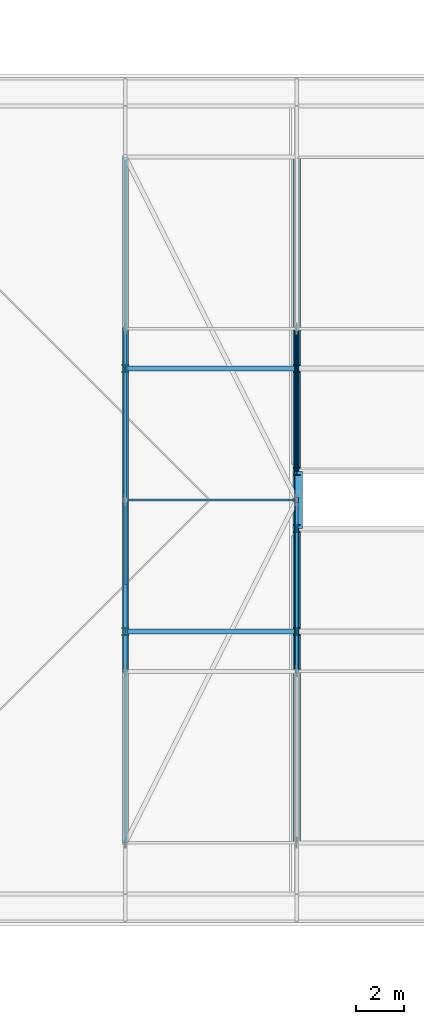
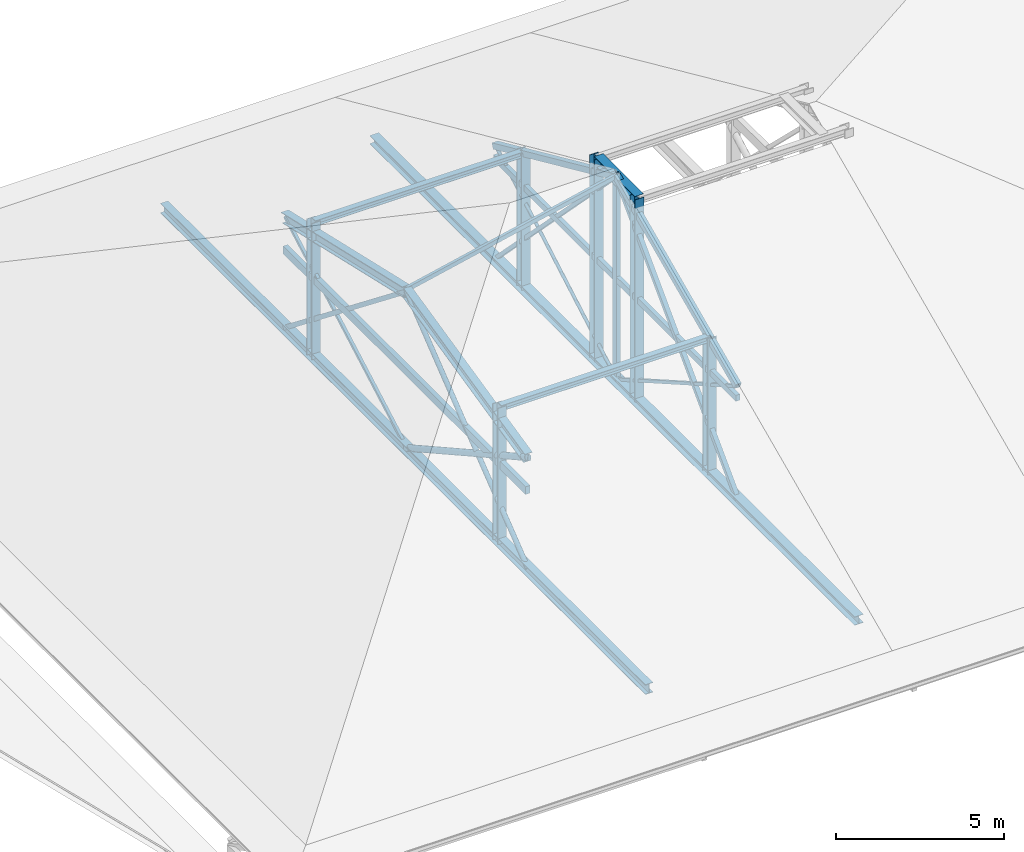
# One storey, part 11 of 100: 23 members, 4 beams.
"""IFC4 building model written with IfcOpenShell, lengths in metres."""

import ifcopenshell
import ifcopenshell.guid

model = None  # the IFC model being written
_history = None  # IfcOwnerHistory: only IFC2X3 demands one
_inside = {}  # id of a spatial element -> (the spatial element, [elements in it])
_under = {}  # id of a project, library or spatial element -> (it, [spatial elements below it])
_declared = {}  # id of a project -> (the project, [libraries it declares])
_typed = {}  # id of a type object -> (the type object, [elements of that type])
_made_of = {}  # id of a material, layer set ... -> (it, [elements and type objects made of it])


def new_model(schema):
    """Start an empty IFC model of exactly this schema.

    Asked for "IFC4X3", IfcOpenShell would pick the latest addendum, in which some entities
    have other attributes; the version numbers below select the first issue.
    IFC2X3 requires an IfcOwnerHistory on every rooted entity: one is made here for all.
    """
    global model, _history
    if schema == "IFC4X3":
        model = ifcopenshell.file(schema_version=(4, 3, 0, 0))
    else:
        model = ifcopenshell.file(schema=schema)
    _inside.clear()
    _under.clear()
    _declared.clear()
    _typed.clear()
    _made_of.clear()
    _history = None
    if model.schema == "IFC2X3":
        org = make("IfcOrganization", Name="unknown")
        user = make(
            "IfcPersonAndOrganization",
            ThePerson=make("IfcPerson", FamilyName="unknown"),
            TheOrganization=org,
        )
        app = make(
            "IfcApplication",
            ApplicationDeveloper=org,
            Version="unknown",
            ApplicationFullName="unknown",
            ApplicationIdentifier="unknown",
        )
        _history = make(
            "IfcOwnerHistory",
            OwningUser=user,
            OwningApplication=app,
            ChangeAction="ADDED",
            CreationDate=0,
        )
    return model


def make(cls, **values):
    """One entity of the class cls with the attributes given. An attribute that is None is left unset."""
    return model.create_entity(
        cls, **{name: value for name, value in values.items() if value is not None}
    )


def rooted(cls, **values):
    """An entity with a GlobalId (a new one), such as an element, a storey or a relation."""
    return make(cls, GlobalId=ifcopenshell.guid.new(), OwnerHistory=_history, **values)


def si_unit(unit_type, name, prefix=None):
    """IfcSIUnit, for example si_unit("LENGTHUNIT", "METRE", prefix="MILLI")."""
    return make("IfcSIUnit", UnitType=unit_type, Prefix=prefix, Name=name)


def assignment(units):
    """IfcUnitAssignment: the units of a project."""
    return None if units is None else make("IfcUnitAssignment", Units=units)


def point(xyz):
    """IfcCartesianPoint."""
    return None if xyz is None else make("IfcCartesianPoint", Coordinates=xyz)


def direction(xyz):
    """IfcDirection."""
    return None if xyz is None else make("IfcDirection", DirectionRatios=xyz)


def frame(location, z_axis=None, x_axis=None):
    """IfcAxis2Placement3D, a coordinate frame: its origin and axes. An axis left out is left unset."""
    return make(
        "IfcAxis2Placement3D",
        Location=point(location),
        Axis=direction(z_axis),
        RefDirection=direction(x_axis),
    )


def frame_2d(location, x_axis=None):
    """IfcAxis2Placement2D, a coordinate frame in the plane: its origin and x axis."""
    return make(
        "IfcAxis2Placement2D", Location=point(location), RefDirection=direction(x_axis)
    )


def origin():
    """The frame at (0, 0, 0) with its axes left unset."""
    return frame((0.0, 0.0, 0.0))


def origin_2d():
    """The frame at (0, 0) in the plane with its x axis left unset."""
    return frame_2d((0.0, 0.0))


def place(relative_to, where):
    """IfcLocalPlacement: puts the frame where relative to a parent placement (None: the world)."""
    return make(
        "IfcLocalPlacement", PlacementRelTo=relative_to, RelativePlacement=where
    )


def context(
    kind, dimensions, precision=None, world=None, true_north=None, identifier=None
):
    """IfcGeometricRepresentationContext, for example the 3D "Model" context."""
    return make(
        "IfcGeometricRepresentationContext",
        ContextIdentifier=identifier,
        ContextType=kind,
        CoordinateSpaceDimension=dimensions,
        Precision=precision,
        WorldCoordinateSystem=world,
        TrueNorth=true_north,
    )


def subcontext(parent, identifier, kind, view, scale=None):
    """IfcGeometricRepresentationSubContext, for example "Body" below "Model"."""
    return make(
        "IfcGeometricRepresentationSubContext",
        ContextIdentifier=identifier,
        ContextType=kind,
        ParentContext=parent,
        TargetScale=scale,
        TargetView=view,
    )


def project(units=None, contexts=None):
    """IfcProject with its units and contexts."""
    return rooted(
        "IfcProject",
        Name="project",
        RepresentationContexts=contexts,
        UnitsInContext=assignment(units),
    )


def spatial(cls, under=None, at=None, **own):
    """A site, building, storey or space (cls), placed at a placement, below another one or the project."""
    s = rooted(cls, ObjectPlacement=at, **own)
    if under is not None:
        _under.setdefault(under.id(), (under, []))[1].append(s)
    return s


def profile(cls, at=None, kind="AREA", **sizes):
    """A parametric profile (cls). Its sizes go by their IFC names, for example OverallWidth=200.0."""
    return make(cls, ProfileType=kind, Position=at, **sizes)


def rectangle(**sizes):
    """IfcRectangleProfileDef."""
    return profile("IfcRectangleProfileDef", **sizes)


def hollow_rectangle(**sizes):
    """IfcRectangleHollowProfileDef."""
    return profile("IfcRectangleHollowProfileDef", **sizes)


def hollow_circle(**sizes):
    """IfcCircleHollowProfileDef."""
    return profile("IfcCircleHollowProfileDef", **sizes)


def i_section(**sizes):
    """IfcIShapeProfileDef."""
    return profile("IfcIShapeProfileDef", **sizes)


def extrude(swept, where, along, depth):
    """IfcExtrudedAreaSolid: the profile swept, set in the frame where, extruded along a direction by depth."""
    return make(
        "IfcExtrudedAreaSolid",
        SweptArea=swept,
        Position=where,
        ExtrudedDirection=direction(along),
        Depth=depth,
    )


def shape(context_of_items, identifier, shape_type, items):
    """IfcShapeRepresentation: the items that make up one representation, for example the "Body"."""
    return make(
        "IfcShapeRepresentation",
        ContextOfItems=context_of_items,
        RepresentationIdentifier=identifier,
        RepresentationType=shape_type,
        Items=items,
    )


def material(Name=None, Category=None):
    """IfcMaterial."""
    return make("IfcMaterial", Name=Name, Category=Category)


def material_profile(
    of_material, cross_section, Name=None, Category=None, Priority=None
):
    """IfcMaterialProfile: a cross section and its material."""
    return make(
        "IfcMaterialProfile",
        Name=Name,
        Material=of_material,
        Profile=cross_section,
        Priority=Priority,
        Category=Category,
    )


def profile_set(profiles, Name=None, composite=None):
    """IfcMaterialProfileSet."""
    return make(
        "IfcMaterialProfileSet",
        Name=Name,
        MaterialProfiles=profiles,
        CompositeProfile=composite,
    )


def made_of(thing, what):
    """Note that an element or type object is made of a material, layer set ...; save() writes the relation."""
    if what is not None:
        _made_of.setdefault(what.id(), (what, []))[1].append(thing)
    return thing


def type_object(cls, material=None, **own):
    """A type object (cls), such as IfcWallType, which elements share."""
    return made_of(rooted(cls, **own), material)


def element(
    cls,
    number,
    at=None,
    inside=None,
    cuts=None,
    type_object=None,
    material=None,
    context=None,
    identifier="Body",
    shape_type=None,
    held_by="IfcProductDefinitionShape",
    body=None,
    shapes=None,
    **own,
):
    """One element of the class cls, such as IfcWall. Its Tag is "e" and its number.

    at: its placement. inside: the storey or other place that contains it. cuts: it is an
    opening in that element (IfcRelVoidsElement). A single representation is given by context,
    identifier, shape_type and body (its items); several are given by shapes. held_by: the class
    of the entity that holds the representations. save() writes the other relations.
    """
    e = rooted(cls, Tag="e%d" % number, ObjectPlacement=at, **own)
    if body is not None:
        shapes = [shape(context, identifier, shape_type, body)]
    if shapes is not None:
        e.Representation = make(held_by, Representations=shapes)
    if inside is not None:
        _inside.setdefault(inside.id(), (inside, []))[1].append(e)
    if cuts is not None:
        rooted(
            "IfcRelVoidsElement", RelatingBuildingElement=cuts, RelatedOpeningElement=e
        )
    if type_object is not None:
        _typed.setdefault(type_object.id(), (type_object, []))[1].append(e)
    return made_of(e, material)


def aggregate(whole, parts):
    """IfcRelAggregates: a whole, such as a stair, and the parts it consists of."""
    return rooted("IfcRelAggregates", RelatingObject=whole, RelatedObjects=parts)


def save(model, path):
    """Write the relations noted so far, then the file.

    IfcRelAggregates (storeys below a building ...), IfcRelContainedInSpatialStructure (elements
    in a storey), IfcRelDefinesByType, IfcRelAssociatesMaterial and IfcRelDeclares: one each for
    every whole, place, type object, material and project.
    """
    for whole, parts in _under.values():
        aggregate(whole, parts)
    for where, things in _inside.values():
        rooted(
            "IfcRelContainedInSpatialStructure",
            RelatedElements=things,
            RelatingStructure=where,
        )
    for kind, things in _typed.values():
        rooted("IfcRelDefinesByType", RelatedObjects=things, RelatingType=kind)
    for what, things in _made_of.values():
        rooted("IfcRelAssociatesMaterial", RelatedObjects=things, RelatingMaterial=what)
    for by, libraries in _declared.values():
        rooted("IfcRelDeclares", RelatingContext=by, RelatedDefinitions=libraries)
    model.write(path)


model = new_model("IFC4")

# Units and contexts
model_context = context("Model", 3, precision=1e-05, world=origin(), true_north=direction((0.0, 1.0)))
body_context = subcontext(model_context, "Body", "Model", "MODEL_VIEW")
ifc_project = project(units=[si_unit("LENGTHUNIT", "METRE"), si_unit("AREAUNIT", "SQUARE_METRE"), si_unit("VOLUMEUNIT", "CUBIC_METRE"), si_unit("PLANEANGLEUNIT", "RADIAN"), si_unit("MASSUNIT", "GRAM", prefix="KILO")], contexts=[model_context])

# Site, building, storey
site_placement = place(None, origin())
site = spatial("IfcSite", under=ifc_project, at=site_placement, CompositionType="ELEMENT")
building_placement = place(site_placement, origin())
building = spatial("IfcBuilding", under=site, at=building_placement, Name="Steenspoor Specialist Clinic", CompositionType="ELEMENT")
storey_placement = place(building_placement, frame((0.0, 0.0, 9.0)))
storey = spatial("IfcBuildingStorey", under=building, at=storey_placement, Name="L02", CompositionType="ELEMENT", Elevation=9.0)

# Beams
ifc_material_1 = material(Name="Steel A992 Grade 50", Category="steel")
ifc_material_profile_1 = material_profile(ifc_material_1, i_section(OverallWidth=0.2041015625, OverallDepth=0.2060546875, WebThickness=0.0078125, FlangeThickness=0.0126953125, at=origin_2d()), Name="W200X52")
ifc_profile_set_1 = profile_set([ifc_material_profile_1], Name="Steel A992 Grade 50")
beam_type_1 = type_object("IfcBeamType", Name="BM-ST-W200X52", PredefinedType="JOIST", material=ifc_profile_set_1)
for number, where, z_axis, x_axis, name in (
    (1, (132.39990234375, 21.924072265625, 5.035400390625), (1.0, 0.0, 0.0), (0.0, 1.0, 0.0), "Roof Sub-Facet Bearer V2 W S"),
    (2, (132.39990234375, 32.97607421875, 5.035400390625), (1.0, 0.0, 0.0), (0.0, 1.0, 0.0), "Roof Sub-Facet Bearer V2 W N"),
):
    element("IfcBeam", number, at=place(storey_placement, frame(where, z_axis=z_axis, x_axis=x_axis)), inside=storey, type_object=beam_type_1, Name=name, PredefinedType="JOIST", context=body_context, shape_type="SweptSolid", body=[
        extrude(i_section(OverallWidth=0.2041015625, OverallDepth=0.2060546875, WebThickness=0.0078125, FlangeThickness=0.0126953125, at=origin_2d()), origin(), (0.0, 0.0, 1.0), 7.2001953125),
    ])
ifc_material_profile_2 = material_profile(ifc_material_1, i_section(OverallWidth=0.304931640625, OverallDepth=0.30810546875, WebThickness=0.010009765625, FlangeThickness=0.015380859375, at=origin_2d()), Name="W310X97")
ifc_profile_set_2 = profile_set([ifc_material_profile_2], Name="Steel A992 Grade 50")
beam_type_2 = type_object("IfcBeamType", Name="BM-ST-W310X97", PredefinedType="BEAM", material=ifc_profile_set_2)
beam_1_placement = place(storey_placement, frame((139.60009765625, 13.050048828125, 0.174072265625), z_axis=(0.0, 1.0, 0.0), x_axis=(-1.0, 0.0, 0.0)))
element("IfcBeam", 3, at=beam_1_placement, inside=storey, type_object=beam_type_2, Name="ROOF TRUSS Bottom Tie Chord V2 4", PredefinedType="BEAM", context=body_context, shape_type="SweptSolid", body=[
    extrude(i_section(OverallWidth=0.304931640625, OverallDepth=0.30810546875, WebThickness=0.010009765625, FlangeThickness=0.015380859375, at=origin_2d()), origin(), (0.0, 0.0, 1.0), 28.800048828125),
])
ifc_material_profile_3 = material_profile(ifc_material_1, i_section(OverallWidth=0.257080078125, OverallDepth=0.363037109375, WebThickness=0.012939453125, FlangeThickness=0.021728515625, at=origin_2d()), Name="W360X122")
ifc_profile_set_3 = profile_set([ifc_material_profile_3], Name="Steel A992 Grade 50")
beam_type_3 = type_object("IfcBeamType", Name="BM-ST-W360X122", PredefinedType="BEAM", material=ifc_profile_set_3)
beam_2_placement = place(storey_placement, frame((132.39990234375, 13.050048828125, 0.201416015625), z_axis=(0.0, 1.0, 0.0), x_axis=(-1.0, 0.0, 0.0)))
element("IfcBeam", 4, at=beam_2_placement, inside=storey, type_object=beam_type_3, Name="ROOF TRUSS Bottom Tie Chord V2 3", PredefinedType="BEAM", context=body_context, shape_type="SweptSolid", body=[
    extrude(i_section(OverallWidth=0.257080078125, OverallDepth=0.363037109375, WebThickness=0.012939453125, FlangeThickness=0.021728515625, at=origin_2d()), origin(), (0.0, 0.0, 1.0), 28.800048828125),
])

# Members
ifc_material_2 = material(Name="Steel A500 Grade C", Category="steel")
ifc_material_profile_4 = material_profile(ifc_material_2, hollow_circle(Radius=0.084228515625, WallThickness=0.007080078125, at=origin_2d()), Name="CHS168X7.1")
ifc_profile_set_4 = profile_set([ifc_material_profile_4], Name="Steel A500 Grade C")
member_type_1 = type_object("IfcMemberType", Name="MEM-BRACE-CHS168", PredefinedType="BRACE", material=ifc_profile_set_4)
member_1_placement = place(storey_placement, frame((132.39990234375, 20.25, 0.201416015625), z_axis=(0.0, 0.78554777997, 0.618801006289), x_axis=(-1.0, 0.0, 0.0)))
element("IfcMember", 5, at=member_1_placement, inside=storey, type_object=member_type_1, Name="ROOF TRUSS Web Brace V2 3.2", PredefinedType="BRACE", context=body_context, shape_type="SweptSolid", body=[
    extrude(hollow_circle(Radius=0.084228515625, WallThickness=0.007080078125, at=origin_2d()), origin(), (0.0, 0.0, 1.0), 9.16552734375),
])
ifc_material_profile_5 = material_profile(ifc_material_2, hollow_rectangle(XDim=0.126953125, YDim=0.126953125, WallThickness=0.0087890625, at=origin_2d()), Name="HSS127X127X9.5")
ifc_profile_set_5 = profile_set([ifc_material_profile_5], Name="Steel A500 Grade C")
member_type_2 = type_object("IfcMemberType", Name="MEM-BRACE-H127A", PredefinedType="BRACE", material=ifc_profile_set_5)
member_2_placement = place(storey_placement, frame((139.60009765625, 27.449951171875, 7.537841796875), z_axis=(0.0, 0.699108744427, -0.715015358902), x_axis=(-1.0, 0.0, 0.0)))
element("IfcMember", 6, at=member_2_placement, inside=storey, type_object=member_type_2, Name="ROOF TRUSS Web Brace V2 4.3", PredefinedType="BRACE", context=body_context, shape_type="SweptSolid", body=[
    extrude(hollow_rectangle(XDim=0.126953125, YDim=0.126953125, WallThickness=0.0087890625, at=origin_2d()), origin(), (0.0, 0.0, 1.0), 10.298828125),
])
ifc_material_profile_6 = material_profile(ifc_material_2, hollow_rectangle(XDim=0.15234375, YDim=0.15234375, WallThickness=0.0087890625, at=origin_2d()), Name="HSS152X152X9.5")
ifc_profile_set_6 = profile_set([ifc_material_profile_6], Name="Steel A500 Grade C")
member_type_3 = type_object("IfcMemberType", Name="MEM-BRACE-H152", PredefinedType="BRACE", material=ifc_profile_set_6)
member_3_placement = place(storey_placement, frame((132.39990234375, 27.449951171875, 5.873046875), z_axis=(0.0, 0.78554777997, -0.618801006289), x_axis=(-1.0, 0.0, 0.0)))
element("IfcMember", 7, at=member_3_placement, inside=storey, type_object=member_type_3, Name="ROOF TRUSS Web Brace V2 3.3", PredefinedType="BRACE", context=body_context, shape_type="SweptSolid", body=[
    extrude(hollow_rectangle(XDim=0.15234375, YDim=0.15234375, WallThickness=0.0087890625, at=origin_2d()), origin(), (0.0, 0.0, 1.0), 9.16552734375),
])
member_4_placement = place(storey_placement, frame((139.60009765625, 20.25, 0.174072265625), z_axis=(0.0, 0.699108744427, 0.715015358902), x_axis=(-1.0, 0.0, 0.0)))
element("IfcMember", 8, at=member_4_placement, inside=storey, type_object=member_type_3, Name="ROOF TRUSS Web Brace V2 4.2", PredefinedType="BRACE", context=body_context, shape_type="SweptSolid", body=[
    extrude(hollow_rectangle(XDim=0.15234375, YDim=0.15234375, WallThickness=0.0087890625, at=origin_2d()), origin(), (0.0, 0.0, 1.0), 10.298828125),
])
ifc_material_profile_7 = material_profile(ifc_material_2, hollow_rectangle(XDim=0.203125, YDim=0.203125, WallThickness=0.01171875, at=origin_2d()), Name="HSS203X203X12.7")
ifc_profile_set_7 = profile_set([ifc_material_profile_7], Name="Steel A500 Grade C")
member_type_4 = type_object("IfcMemberType", Name="MEM-CHORD-H203", PredefinedType="CHORD", material=ifc_profile_set_7)
for number, where, z_axis, x_axis, name in (
    (9, (139.60009765625, 20.25, 4.291015625), (0.0, 0.911596750852, 0.411085591861), (-1.0, 0.0, 0.0), "ROOF TRUSS Top Chord V2 4.2"),
    (10, (139.60009765625, 27.449951171875, 7.537841796875), (0.0, 0.911596750852, -0.411085591861), (-1.0, 0.0, 0.0), "ROOF TRUSS Top Chord V2 4.3"),
):
    element("IfcMember", number, at=place(storey_placement, frame(where, z_axis=z_axis, x_axis=x_axis)), inside=storey, type_object=member_type_4, Name=name, PredefinedType="CHORD", context=body_context, shape_type="SweptSolid", body=[
        extrude(hollow_rectangle(XDim=0.203125, YDim=0.203125, WallThickness=0.01171875, at=origin_2d()), origin(), (0.0, 0.0, 1.0), 7.898193359375),
    ])
ifc_material_profile_8 = material_profile(ifc_material_1, i_section(OverallWidth=0.304931640625, OverallDepth=0.30810546875, WebThickness=0.010009765625, FlangeThickness=0.015380859375, at=origin_2d()), Name="W310X97")
ifc_profile_set_8 = profile_set([ifc_material_profile_8], Name="Steel A992 Grade 50")
member_type_5 = type_object("IfcMemberType", Name="MEM-CHORD-W310", PredefinedType="CHORD", material=ifc_profile_set_8)
for number, where, z_axis, x_axis, name in (
    (11, (139.60009765625, 26.25, 0.199951171875), (0.0, 0.0, 1.0), (1.0, 0.0, 0.0), "ROOF TRUSS Web Post Curb V2 1L"),
    (12, (139.60009765625, 28.64990234375, 0.199951171875), (0.0, 0.0, 1.0), (1.0, 0.0, 0.0), "ROOF TRUSS Web Post Curb V2 2L"),
):
    element("IfcMember", number, at=place(storey_placement, frame(where, z_axis=z_axis, x_axis=x_axis)), inside=storey, type_object=member_type_5, Name=name, PredefinedType="CHORD", context=body_context, shape_type="SweptSolid", body=[
        extrude(i_section(OverallWidth=0.304931640625, OverallDepth=0.30810546875, WebThickness=0.010009765625, FlangeThickness=0.015380859375, at=origin_2d()), origin(), (0.0, 0.0, 1.0), 7.333984375),
    ])
member_5_placement = place(storey_placement, frame((139.679931640625, 26.25, 7.385986328125), z_axis=(0.0, 1.0, 0.0), x_axis=(-1.0, 0.0, 0.0)))
element("IfcMember", 13, at=member_5_placement, inside=storey, type_object=member_type_5, Name="ROOF TRUSS Curb Cross Chord V2 1", PredefinedType="CHORD", context=body_context, shape_type="SweptSolid", body=[
    extrude(i_section(OverallWidth=0.304931640625, OverallDepth=0.30810546875, WebThickness=0.010009765625, FlangeThickness=0.015380859375, at=origin_2d()), origin(), (0.0, 0.0, 1.0), 2.39990234375),
])
for number, where, z_axis, x_axis, name in (
    (14, (139.60009765625, 21.924072265625, 0.179931640625), (0.0, 0.0, 1.0), (1.0, 0.0, 0.0), "ROOF TRUSS Web Post Sub-Facet V2 MSL"),
    (15, (139.60009765625, 32.97607421875, 0.179931640625), (0.0, 0.0, 1.0), (1.0, 0.0, 0.0), "ROOF TRUSS Web Post Sub-Facet V2 MNL"),
):
    element("IfcMember", number, at=place(storey_placement, frame(where, z_axis=z_axis, x_axis=x_axis)), inside=storey, type_object=member_type_5, Name=name, PredefinedType="CHORD", context=body_context, shape_type="SweptSolid", body=[
        extrude(i_section(OverallWidth=0.304931640625, OverallDepth=0.30810546875, WebThickness=0.010009765625, FlangeThickness=0.015380859375, at=origin_2d()), origin(), (0.0, 0.0, 1.0), 4.94580078125),
    ])
for number, where, z_axis, x_axis, name in (
    (16, (132.39990234375, 21.924072265625, 0.179931640625), (0.0, 0.0, 1.0), (1.0, 0.0, 0.0), "ROOF TRUSS Web Post Sub-Facet V2 WSL"),
    (17, (132.39990234375, 32.97607421875, 0.179931640625), (0.0, 0.0, 1.0), (1.0, 0.0, 0.0), "ROOF TRUSS Web Post Sub-Facet V2 WNL"),
):
    element("IfcMember", number, at=place(storey_placement, frame(where, z_axis=z_axis, x_axis=x_axis)), inside=storey, type_object=member_type_5, Name=name, PredefinedType="CHORD", context=body_context, shape_type="SweptSolid", body=[
        extrude(i_section(OverallWidth=0.304931640625, OverallDepth=0.30810546875, WebThickness=0.010009765625, FlangeThickness=0.015380859375, at=origin_2d()), origin(), (0.0, 0.0, 1.0), 4.935546875),
    ])
ifc_material_profile_9 = material_profile(ifc_material_1, i_section(OverallWidth=0.257080078125, OverallDepth=0.363037109375, WebThickness=0.012939453125, FlangeThickness=0.021728515625, at=origin_2d()), Name="W360X122")
ifc_profile_set_9 = profile_set([ifc_material_profile_9], Name="Steel A992 Grade 50")
member_type_6 = type_object("IfcMemberType", Name="MEM-CHORD-W360", PredefinedType="CHORD", material=ifc_profile_set_9)
for number, where, z_axis, x_axis, name in (
    (18, (132.39990234375, 20.25, 4.218017578125), (0.0, 0.974583549038, 0.224024342305), (-1.0, 0.0, 0.0), "ROOF TRUSS Top Chord V2 3.2"),
    (19, (132.39990234375, 27.449951171875, 5.873046875), (0.0, 0.974583549038, -0.224024342305), (-1.0, 0.0, 0.0), "ROOF TRUSS Top Chord V2 3.3"),
):
    element("IfcMember", number, at=place(storey_placement, frame(where, z_axis=z_axis, x_axis=x_axis)), inside=storey, type_object=member_type_6, Name=name, PredefinedType="CHORD", context=body_context, shape_type="SweptSolid", body=[
        extrude(i_section(OverallWidth=0.257080078125, OverallDepth=0.363037109375, WebThickness=0.012939453125, FlangeThickness=0.021728515625, at=origin_2d()), origin(), (0.0, 0.0, 1.0), 7.3876953125),
    ])
ifc_material_profile_10 = material_profile(ifc_material_2, hollow_rectangle(XDim=0.1015625, YDim=0.15234375, WallThickness=0.005859375, at=origin_2d()), Name="HSS152X102X6.4")
ifc_profile_set_10 = profile_set([ifc_material_profile_10], Name="Steel A500 Grade C")
member_type_7 = type_object("IfcMemberType", Name="MEM-PURLIN-H152", PredefinedType="PURLIN", material=ifc_profile_set_10)
member_6_placement = place(storey_placement, frame((132.39990234375, 27.449951171875, 5.96240234375), z_axis=(0.976423298585, 0.0, 0.215864638098), x_axis=(0.0, 1.0, 0.0)))
element("IfcMember", 20, at=member_6_placement, inside=storey, type_object=member_type_7, Name="ROOF TRUSS Purlin 129", PredefinedType="PURLIN", context=body_context, shape_type="SweptSolid", body=[
    extrude(hollow_rectangle(XDim=0.1015625, YDim=0.15234375, WallThickness=0.005859375, at=origin_2d()), origin(), (0.0, 0.0, 1.0), 7.3740234375),
])
ifc_material_3 = material(Name="Glulam GL28h", Category="wood")
ifc_material_profile_11 = material_profile(ifc_material_3, rectangle(XDim=0.139892578125, YDim=0.219970703125, at=origin_2d()), Name="GL28H-140X220")
ifc_profile_set_11 = profile_set([ifc_material_profile_11], Name="Glulam GL28h")
member_type_8 = type_object("IfcMemberType", Name="MEM-RAFTER-GL220", PredefinedType="RAFTER", material=ifc_profile_set_11)
member_7_placement = place(storey_placement, frame((139.60009765625, 20.25, 3.85546875), z_axis=(0.0, 1.0, 0.0), x_axis=(-1.0, 0.0, 0.0)))
element("IfcMember", 21, at=member_7_placement, inside=storey, type_object=member_type_8, Name="ROOF TRUSS Glulam Collar Rafter V2 4", PredefinedType="RAFTER", context=body_context, shape_type="SweptSolid", body=[
    extrude(rectangle(XDim=0.139892578125, YDim=0.219970703125, at=origin_2d()), origin(), (0.0, 0.0, 1.0), 14.39990234375),
])
member_8_placement = place(storey_placement, frame((139.60009765625, 27.449951171875, 0.179931640625), z_axis=(0.0, 0.0, 1.0), x_axis=(1.0, 0.0, 0.0)))
element("IfcMember", 22, at=member_8_placement, inside=storey, type_object=member_type_8, Name="ROOF TRUSS Hip King Post V2 W", PredefinedType="RAFTER", context=body_context, shape_type="SweptSolid", body=[
    extrude(rectangle(XDim=0.139892578125, YDim=0.219970703125, at=origin_2d()), origin(), (0.0, 0.0, 1.0), 7.39794921875),
])
ifc_material_profile_12 = material_profile(ifc_material_3, rectangle(XDim=0.159912109375, YDim=0.280029296875, at=origin_2d()), Name="GL28H-160X280")
ifc_profile_set_12 = profile_set([ifc_material_profile_12], Name="Glulam GL28h")
member_type_9 = type_object("IfcMemberType", Name="MEM-RAFTER-GL280", PredefinedType="RAFTER", material=ifc_profile_set_12)
member_9_placement = place(storey_placement, frame((132.39990234375, 20.25, 3.036865234375), z_axis=(0.0, 1.0, 0.0), x_axis=(-1.0, 0.0, 0.0)))
element("IfcMember", 23, at=member_9_placement, inside=storey, type_object=member_type_9, Name="ROOF TRUSS Glulam Collar Rafter V2 3", PredefinedType="RAFTER", context=body_context, shape_type="SweptSolid", body=[
    extrude(rectangle(XDim=0.159912109375, YDim=0.280029296875, at=origin_2d()), origin(), (0.0, 0.0, 1.0), 14.39990234375),
])
ifc_material_profile_13 = material_profile(ifc_material_2, hollow_circle(Radius=0.05712890625, WallThickness=0.006103515625, at=origin_2d()), Name="CHS114X6.0")
ifc_profile_set_13 = profile_set([ifc_material_profile_13], Name="Steel A500 Grade C")
member_type_10 = type_object("IfcMemberType", Name="MEM-STRUT-CHS114", PredefinedType="STRUT", material=ifc_profile_set_13)
member_10_placement = place(storey_placement, frame((139.60009765625, 27.449951171875, 0.174072265625), z_axis=(0.0, 0.868103625406, 0.496383012961), x_axis=(-1.0, 0.0, 0.0)))
element("IfcMember", 24, at=member_10_placement, inside=storey, type_object=member_type_10, Name="ROOF TRUSS Web Strut V2 4.3", PredefinedType="STRUT", context=body_context, shape_type="SweptSolid", body=[
    extrude(hollow_circle(Radius=0.05712890625, WallThickness=0.006103515625, at=origin_2d()), origin(), (0.0, 0.0, 1.0), 8.2939453125),
])
ifc_material_profile_14 = material_profile(ifc_material_2, hollow_circle(Radius=0.109619140625, WallThickness=0.00830078125, at=origin_2d()), Name="CHS219X8.2")
ifc_profile_set_14 = profile_set([ifc_material_profile_14], Name="Steel A500 Grade C")
member_type_11 = type_object("IfcMemberType", Name="MEM-STRUT-CHS219", PredefinedType="STRUT", material=ifc_profile_set_14)
member_11_placement = place(storey_placement, frame((132.39990234375, 20.25, 4.218017578125), z_axis=(0.0, 0.873299671709, -0.487183418635), x_axis=(-1.0, 0.0, 0.0)))
element("IfcMember", 25, at=member_11_placement, inside=storey, type_object=member_type_11, Name="ROOF TRUSS Web Strut V2 3.2", PredefinedType="STRUT", context=body_context, shape_type="SweptSolid", body=[
    extrude(hollow_circle(Radius=0.109619140625, WallThickness=0.00830078125, at=origin_2d()), origin(), (0.0, 0.0, 1.0), 8.24462890625),
])
ifc_material_profile_15 = material_profile(ifc_material_2, hollow_rectangle(XDim=0.1015625, YDim=0.1015625, WallThickness=0.005859375, at=origin_2d()), Name="HSS102X102X6.4")
ifc_profile_set_15 = profile_set([ifc_material_profile_15], Name="Steel A500 Grade C")
member_type_12 = type_object("IfcMemberType", Name="MEM-STRUT-H102", PredefinedType="STRUT", material=ifc_profile_set_15)
member_12_placement = place(storey_placement, frame((132.39990234375, 27.449951171875, 0.201416015625), z_axis=(0.0, 0.873299671709, 0.487183418635), x_axis=(-1.0, 0.0, 0.0)))
element("IfcMember", 26, at=member_12_placement, inside=storey, type_object=member_type_12, Name="ROOF TRUSS Web Strut V2 3.3", PredefinedType="STRUT", context=body_context, shape_type="SweptSolid", body=[
    extrude(hollow_rectangle(XDim=0.1015625, YDim=0.1015625, WallThickness=0.005859375, at=origin_2d()), origin(), (0.0, 0.0, 1.0), 8.24462890625),
])
member_13_placement = place(storey_placement, frame((139.60009765625, 20.25, 4.291015625), z_axis=(0.0, 0.868103625406, -0.496383012961), x_axis=(-1.0, 0.0, 0.0)))
element("IfcMember", 27, at=member_13_placement, inside=storey, type_object=member_type_12, Name="ROOF TRUSS Web Strut V2 4.2", PredefinedType="STRUT", context=body_context, shape_type="SweptSolid", body=[
    extrude(hollow_rectangle(XDim=0.1015625, YDim=0.1015625, WallThickness=0.005859375, at=origin_2d()), origin(), (0.0, 0.0, 1.0), 8.2939453125),
])

save(model, "model.ifc")
